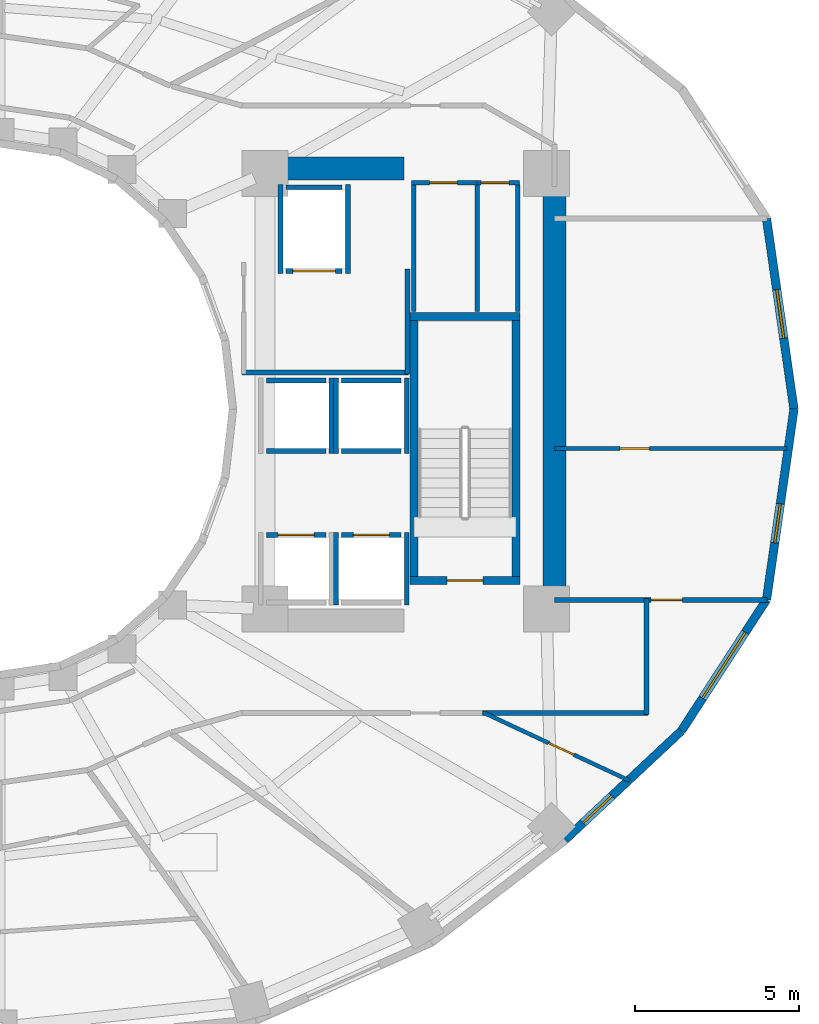
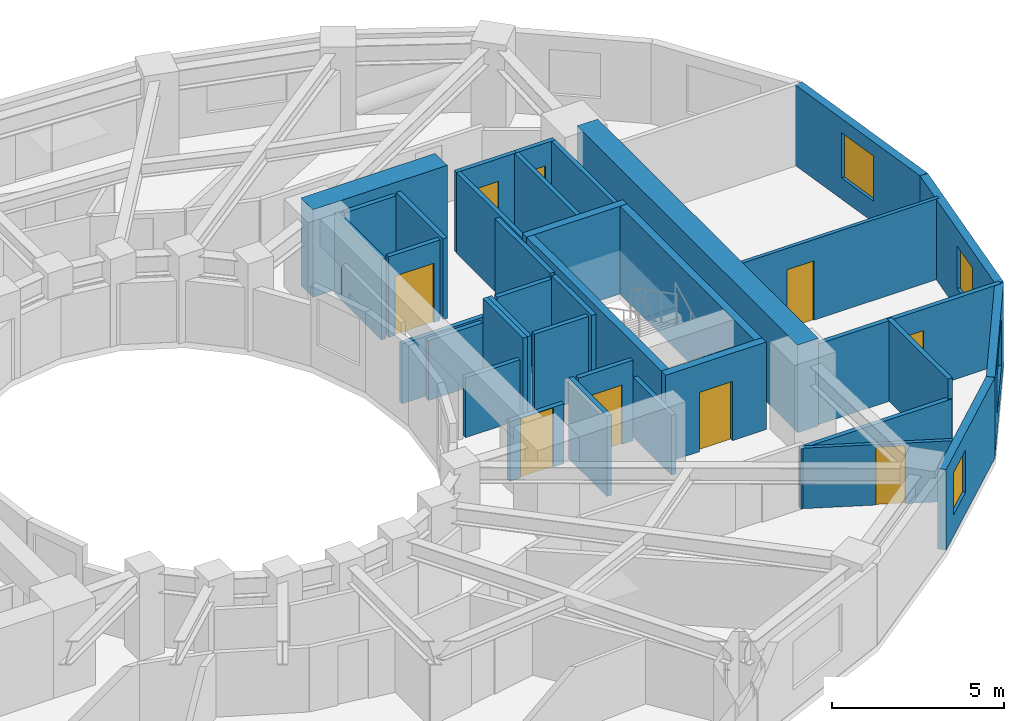
# One storey, part 6 of 9: 37 walls, 9 doors, 4 windows, 13 openings.
"""IFC4 building model written with IfcOpenShell, lengths in metres."""

from ifc_helpers import new_model, si_unit, direction, frame, frame_2d, origin, place, context, subcontext, project, spatial, rectangle, extrude, material, layer, layer_set, type_object, element, fill, save


model = new_model("IFC4")

# Units and contexts
model_context = context("Model", 3, precision=1e-05, world=origin(), true_north=direction((0.0, 1.0)))
body_context = subcontext(model_context, "Body", "Model", "MODEL_VIEW")
ifc_project = project(units=[si_unit("LENGTHUNIT", "METRE"), si_unit("AREAUNIT", "SQUARE_METRE"), si_unit("VOLUMEUNIT", "CUBIC_METRE"), si_unit("PLANEANGLEUNIT", "RADIAN"), si_unit("MASSUNIT", "GRAM", prefix="KILO")], contexts=[model_context])

# Site, building, storey
site_placement = place(None, origin())
site = spatial("IfcSite", under=ifc_project, at=site_placement, CompositionType="ELEMENT")
building_placement = place(site_placement, origin())
building = spatial("IfcBuilding", under=site, at=building_placement, Name="Solvane Sanctuary Tower", CompositionType="ELEMENT")
storey_placement = place(building_placement, frame((0.0, 0.0, 98.0)))
storey = spatial("IfcBuildingStorey", under=building, at=storey_placement, Name="L29", CompositionType="ELEMENT", Elevation=98.0)

# Walls
ifc_material_1 = material(Name="Concrete C60/75", Category="concrete")
ifc_layer_1 = layer(ifc_material_1, 0.699951171875, Name="Concrete C60/75")
ifc_layer_set_1 = layer_set([ifc_layer_1], Name="Concrete C60/75")
wall_type_1 = type_object("IfcWallType", Name="Wall W-CORE-700", PredefinedType="SHEAR", material=ifc_layer_set_1)
wall_1_placement = place(storey_placement, frame((48.949951171875, 17.050048828125, 0.0), z_axis=(0.0, 0.0, 1.0), x_axis=(0.0, 1.0, 0.0)))
element("IfcWall", 1, at=wall_1_placement, inside=storey, type_object=wall_type_1, Name="L29 Core Shear Wall EC-E", PredefinedType="SHEAR", context=body_context, shape_type="SweptSolid", body=[
    extrude(rectangle(XDim=12.800048828125, YDim=0.699951171875, at=frame_2d((6.39990234375, 0.0))), origin(), (0.0, 0.0, 1.0), 3.10009765625),
])
wall_2_placement = place(storey_placement, frame((39.85009765625, 30.35009765625, 0.0), z_axis=(0.0, 0.0, 1.0), x_axis=(1.0, 0.0, 0.0)))
element("IfcWall", 2, at=wall_2_placement, inside=storey, type_object=wall_type_1, Name="L29 Core Shear Wall EC-N", PredefinedType="SHEAR", context=body_context, shape_type="SweptSolid", body=[
    extrude(rectangle(XDim=4.5, YDim=0.699951171875, at=frame_2d((2.25, 0.0))), origin(), (0.0, 0.0, 1.0), 3.10009765625),
])
ifc_material_2 = material(Name="Acoustic Gypsum Partition Board")
ifc_layer_2 = layer(ifc_material_2, 0.14990234375, Name="Acoustic Gypsum Partition Board")
ifc_layer_set_2 = layer_set([ifc_layer_2], Name="Acoustic Gypsum Partition Board")
wall_type_2 = type_object("IfcWallType", Name="Wall W-CORR-150", PredefinedType="PARTITIONING", material=ifc_layer_set_2)
wall_3_placement = place(storey_placement, frame((39.39990234375, 24.1201171875, 0.0), z_axis=(0.0, 0.0, 1.0), x_axis=(1.0, 0.0, 0.0)))
element("IfcWall", 3, at=wall_3_placement, inside=storey, type_object=wall_type_2, Name="L29 East Firefighting Lobby South Wall", PredefinedType="PARTITIONING", context=body_context, shape_type="SweptSolid", body=[
    extrude(rectangle(XDim=5.080078125, YDim=0.14990234375, at=frame_2d((2.5400390625, 0.0))), origin(), (0.0, 0.0, 1.0), 2.1201171875),
])
wall_4_placement = place(storey_placement, frame((44.449951171875, 24.080078125, 0.0), z_axis=(0.0, 0.0, 1.0), x_axis=(0.0, 1.0, 0.0)))
element("IfcWall", 4, at=wall_4_placement, inside=storey, type_object=wall_type_2, Name="L29 East Firefighting Lobby East Wall", PredefinedType="PARTITIONING", context=body_context, shape_type="SweptSolid", body=[
    extrude(rectangle(XDim=3.199951171875, YDim=0.14990234375, at=frame_2d((1.60009765625, 0.0))), origin(), (0.0, 0.0, 1.0), 2.85498046875),
])

# Wall, opening, door
wall_5_placement = place(storey_placement, frame((48.949951171875, 17.1748046875, 0.0), z_axis=(0.0, 0.0, 1.0), x_axis=(1.0, 0.0, 0.0)))
wall_5 = element("IfcWall", 5, at=wall_5_placement, inside=storey, type_object=wall_type_2, Name="L29 East Shoulder South Wall", PredefinedType="PARTITIONING", context=body_context, shape_type="SweptSolid", body=[
    extrude(rectangle(XDim=6.49169921875, YDim=0.14990234375, at=frame_2d((3.245849609375, 0.0))), origin(), (0.0, 0.0, 1.0), 2.85498046875),
])
opening_1_placement = place(wall_5_placement, frame((2.947509765625, 0.0, 0.0)))
opening_1 = element("IfcOpeningElement", 6, at=opening_1_placement, cuts=wall_5, Name="Opening D-L29-12", PredefinedType="OPENING", context=body_context, shape_type="SweptSolid", body=[
    extrude(rectangle(XDim=0.949951171875, YDim=2.10009765625, at=frame_2d((0.47509765625, 1.050048828125))), frame((0.0, 0.0849609375, 0.0), z_axis=(0.0, -1.0, 0.0), x_axis=(1.0, 0.0, 0.0)), (0.0, 0.0, 1.0), 0.169921875),
])
ifc_material_3 = material(Name="Engineered Tropical Hardwood", Category="wood")
door_type_1 = type_object("IfcDoorType", Name="Door D-ROOM-950", OperationType="NOTDEFINED", PredefinedType="DOOR", material=ifc_material_3)
door_1_placement = place(opening_1_placement, origin())
door_1 = element("IfcDoor", 7, at=door_1_placement, inside=storey, type_object=door_type_1, Name="L29 East Shoulder South Door", OperationType="SINGLE_SWING_RIGHT", OverallHeight=2.10009765625, OverallWidth=0.949951171875, PredefinedType="DOOR", context=body_context, shape_type="SweptSolid", body=[
    extrude(rectangle(XDim=0.949951171875, YDim=2.10009765625, at=frame_2d((0.47509765625, 1.050048828125))), frame((0.0, 0.02490234375, 0.0), z_axis=(0.0, -1.0, 0.0), x_axis=(1.0, 0.0, 0.0)), (0.0, 0.0, 1.0), 0.050048828125),
])
fill(opening_1, door_1)

# Walls
wall_6_placement = place(storey_placement, frame((51.760009765625, 13.679931640625, 0.0), z_axis=(0.0, 0.0, 1.0), x_axis=(0.0, 1.0, 0.0)))
element("IfcWall", 8, at=wall_6_placement, inside=storey, type_object=wall_type_2, Name="L29 SE Corner Closer 1", PredefinedType="PARTITIONING", context=body_context, shape_type="SweptSolid", body=[
    extrude(rectangle(XDim=3.534912109375, YDim=0.14990234375, at=frame_2d((1.767578125, 0.0))), origin(), (0.0, 0.0, 1.0), 2.85498046875),
])
wall_7_placement = place(storey_placement, frame((46.75, 13.719970703125, 0.0), z_axis=(0.0, 0.0, 1.0), x_axis=(1.0, 0.0, 0.0)))
element("IfcWall", 9, at=wall_7_placement, inside=storey, type_object=wall_type_2, Name="L29 SE Corner Wing Wall", PredefinedType="PARTITIONING", context=body_context, shape_type="SweptSolid", body=[
    extrude(rectangle(XDim=5.050048828125, YDim=0.14990234375, at=frame_2d((2.52490234375, 0.0))), origin(), (0.0, 0.0, 1.0), 2.14208984375),
])

# Wall, opening, window
ifc_material_4 = material(Name="Precast concrete C40/50", Category="concrete")
ifc_layer_3 = layer(ifc_material_4, 0.260009765625, Name="Precast concrete C40/50")
ifc_layer_set_3 = layer_set([ifc_layer_3], Name="Precast concrete C40/50")
wall_type_3 = type_object("IfcWallType", Name="Wall W-EXT-250", PredefinedType="STANDARD", material=ifc_layer_set_3)
wall_8_placement = place(storey_placement, frame((56.260009765625, 23.0, 0.0), z_axis=(0.0, 0.0, 1.0), x_axis=(-0.142572472068, 0.98978436551, 0.0)))
wall_8 = element("IfcWall", 10, at=wall_8_placement, inside=storey, type_object=wall_type_3, Name="L29 Ceramic-Printed Facade Wall 00", PredefinedType="STANDARD", context=body_context, shape_type="SweptSolid", body=[
    extrude(rectangle(XDim=5.878662109375, YDim=0.260009765625, at=frame_2d((2.939453125, 0.0))), origin(), (0.0, 0.0, 1.0), 2.85009765625),
])
opening_2_placement = place(wall_8_placement, frame((2.189453125, 0.0, 0.75)))
opening_2 = element("IfcOpeningElement", 11, at=opening_2_placement, cuts=wall_8, Name="Opening WN-OPER-1500", PredefinedType="OPENING", context=body_context, shape_type="SweptSolid", body=[
    extrude(rectangle(XDim=1.5, YDim=1.60009765625, at=frame_2d((0.75, 0.800048828125))), frame((0.0, 0.139892578125, 0.0), z_axis=(0.0, -1.0, 0.0), x_axis=(1.0, 0.0, 0.0)), (0.0, 0.0, 1.0), 0.280029296875),
])
ifc_material_5 = material(Name="Dark Ceramic-Fritted Low-E Glass", Category="glass")
window_type_1 = type_object("IfcWindowType", Name="Window WN-OPER-1500", PartitioningType="SINGLE_PANEL", PredefinedType="WINDOW", material=ifc_material_5)
window_1_placement = place(opening_2_placement, origin())
window_1 = element("IfcWindow", 12, at=window_1_placement, inside=storey, type_object=window_type_1, Name="L29 Operable Facade Window 00", OverallHeight=1.60009765625, OverallWidth=1.5, PartitioningType="SINGLE_PANEL", PredefinedType="WINDOW", context=body_context, shape_type="SweptSolid", body=[
    extrude(rectangle(XDim=1.5, YDim=1.60009765625, at=frame_2d((0.75, 0.800048828125))), frame((0.0, 0.030029296875, 0.0), z_axis=(0.0, -1.0, 0.0), x_axis=(1.0, 0.0, 0.0)), (0.0, 0.0, 1.0), 0.06005859375),
])
fill(opening_2, window_1)

wall_9_placement = place(storey_placement, frame((49.265869140625, 9.8466796875, 0.0), z_axis=(0.0, 0.0, 1.0), x_axis=(0.730162452258, 0.68327358599, 0.0)))
wall_9 = element("IfcWall", 13, at=wall_9_placement, inside=storey, type_object=wall_type_3, Name="L29 Ceramic-Printed Facade Wall 21", PredefinedType="STANDARD", context=body_context, shape_type="SweptSolid", body=[
    extrude(rectangle(XDim=4.868408203125, YDim=0.260009765625, at=frame_2d((2.43408203125, 0.0))), origin(), (0.0, 0.0, 1.0), 2.85009765625),
])
opening_3_placement = place(wall_9_placement, frame((0.754638671875, 0.0, 0.75)))
opening_3 = element("IfcOpeningElement", 14, at=opening_3_placement, cuts=wall_9, Name="Opening WN-OPER-1200", PredefinedType="OPENING", context=body_context, shape_type="SweptSolid", body=[
    extrude(rectangle(XDim=1.199951171875, YDim=1.5, at=frame_2d((0.60009765625, 0.75))), frame((0.0, 0.139892578125, 0.0), z_axis=(0.0, -1.0, 0.0), x_axis=(1.0, 0.0, 0.0)), (0.0, 0.0, 1.0), 0.280029296875),
])
window_type_2 = type_object("IfcWindowType", Name="Window WN-OPER-1200", PartitioningType="SINGLE_PANEL", PredefinedType="WINDOW", material=ifc_material_5)
window_2_placement = place(opening_3_placement, origin())
window_2 = element("IfcWindow", 15, at=window_2_placement, inside=storey, type_object=window_type_2, Name="L29 Operable Facade Window 21", OverallHeight=1.5, OverallWidth=1.199951171875, PartitioningType="SINGLE_PANEL", PredefinedType="WINDOW", context=body_context, shape_type="SweptSolid", body=[
    extrude(rectangle(XDim=1.199951171875, YDim=1.5, at=frame_2d((0.60009765625, 0.75))), frame((0.0, 0.030029296875, 0.0), z_axis=(0.0, -1.0, 0.0), x_axis=(1.0, 0.0, 0.0)), (0.0, 0.0, 1.0), 0.06005859375),
])
fill(opening_3, window_2)

wall_10_placement = place(storey_placement, frame((52.820556640625, 13.173095703125, 0.0), z_axis=(0.0, 0.0, 1.0), x_axis=(0.544388392991, 0.838833283541, 0.0)))
wall_10 = element("IfcWall", 16, at=wall_10_placement, inside=storey, type_object=wall_type_3, Name="L29 Ceramic-Printed Facade Wall 22", PredefinedType="STANDARD", context=body_context, shape_type="SweptSolid", body=[
    extrude(rectangle(XDim=4.7783203125, YDim=0.260009765625, at=frame_2d((2.38916015625, 0.0))), origin(), (0.0, 0.0, 1.0), 2.85009765625),
])
opening_4_placement = place(wall_10_placement, frame((1.189208984375, 0.0, 0.75)))
opening_4 = element("IfcOpeningElement", 17, at=opening_4_placement, cuts=wall_10, Name="Opening WN-RIB-2400", PredefinedType="OPENING", context=body_context, shape_type="SweptSolid", body=[
    extrude(rectangle(XDim=2.39990234375, YDim=1.699951171875, at=frame_2d((1.199951171875, 0.85009765625))), frame((0.0, 0.139892578125, 0.0), z_axis=(0.0, -1.0, 0.0), x_axis=(1.0, 0.0, 0.0)), (0.0, 0.0, 1.0), 0.280029296875),
])
window_type_3 = type_object("IfcWindowType", Name="Window WN-RIB-2400", PartitioningType="SINGLE_PANEL", PredefinedType="WINDOW", material=ifc_material_5)
window_3_placement = place(opening_4_placement, origin())
window_3 = element("IfcWindow", 18, at=window_3_placement, inside=storey, type_object=window_type_3, Name="L29 Operable Facade Window 22", OverallHeight=1.699951171875, OverallWidth=2.39990234375, PartitioningType="SINGLE_PANEL", PredefinedType="WINDOW", context=body_context, shape_type="SweptSolid", body=[
    extrude(rectangle(XDim=2.39990234375, YDim=1.699951171875, at=frame_2d((1.199951171875, 0.85009765625))), frame((0.0, 0.030029296875, 0.0), z_axis=(0.0, -1.0, 0.0), x_axis=(1.0, 0.0, 0.0)), (0.0, 0.0, 1.0), 0.06005859375),
])
fill(opening_4, window_3)

wall_11_placement = place(storey_placement, frame((55.421875, 17.181396484375, 0.0), z_axis=(0.0, 0.0, 1.0), x_axis=(0.142572472068, 0.98978436551, 0.0)))
wall_11 = element("IfcWall", 19, at=wall_11_placement, inside=storey, type_object=wall_type_3, Name="L29 Ceramic-Printed Facade Wall 23", PredefinedType="STANDARD", context=body_context, shape_type="SweptSolid", body=[
    extrude(rectangle(XDim=5.878662109375, YDim=0.260009765625, at=frame_2d((2.939453125, 0.0))), origin(), (0.0, 0.0, 1.0), 2.85009765625),
])
opening_5_placement = place(wall_11_placement, frame((1.75830078125, 0.0, 0.75)))
opening_5 = element("IfcOpeningElement", 20, at=opening_5_placement, cuts=wall_11, Name="Opening WN-OPER-1200", PredefinedType="OPENING", context=body_context, shape_type="SweptSolid", body=[
    extrude(rectangle(XDim=1.199951171875, YDim=1.5, at=frame_2d((0.60009765625, 0.75))), frame((0.0, 0.139892578125, 0.0), z_axis=(0.0, -1.0, 0.0), x_axis=(1.0, 0.0, 0.0)), (0.0, 0.0, 1.0), 0.280029296875),
])
window_4_placement = place(opening_5_placement, origin())
window_4 = element("IfcWindow", 21, at=window_4_placement, inside=storey, type_object=window_type_2, Name="L29 Operable Facade Window 23", OverallHeight=1.5, OverallWidth=1.199951171875, PartitioningType="SINGLE_PANEL", PredefinedType="WINDOW", context=body_context, shape_type="SweptSolid", body=[
    extrude(rectangle(XDim=1.199951171875, YDim=1.5, at=frame_2d((0.60009765625, 0.75))), frame((0.0, 0.030029296875, 0.0), z_axis=(0.0, -1.0, 0.0), x_axis=(1.0, 0.0, 0.0)), (0.0, 0.0, 1.0), 0.06005859375),
])
fill(opening_5, window_4)

# Wall, opening, door
ifc_layer_4 = layer(ifc_material_2, 0.1201171875, Name="Acoustic Gypsum Partition Board")
ifc_layer_set_4 = layer_set([ifc_layer_4], Name="Acoustic Gypsum Partition Board")
wall_type_4 = type_object("IfcWallType", Name="Wall W-MOV-100", PredefinedType="MOVABLE", material=ifc_layer_set_4)
wall_12_placement = place(storey_placement, frame((48.949951171875, 21.800048828125, 0.0), z_axis=(0.0, 0.0, 1.0), x_axis=(1.0, 0.0, 0.0)))
wall_12 = element("IfcWall", 22, at=wall_12_placement, inside=storey, type_object=wall_type_4, Name="L29 East Suite Partition", PredefinedType="MOVABLE", context=body_context, shape_type="SweptSolid", body=[
    extrude(rectangle(XDim=7.097412109375, YDim=0.1201171875, at=frame_2d((3.548828125, 0.0))), origin(), (0.0, 0.0, 1.0), 2.85498046875),
])
opening_6_placement = place(wall_12_placement, frame((2.0, 0.0, 0.0)))
opening_6 = element("IfcOpeningElement", 23, at=opening_6_placement, cuts=wall_12, Name="Opening D-L29-13", PredefinedType="OPENING", context=body_context, shape_type="SweptSolid", body=[
    extrude(rectangle(XDim=0.89990234375, YDim=2.10009765625, at=frame_2d((0.449951171875, 1.050048828125))), frame((0.0, 0.070068359375, 0.0), z_axis=(0.0, -1.0, 0.0), x_axis=(1.0, 0.0, 0.0)), (0.0, 0.0, 1.0), 0.14013671875),
])
door_type_2 = type_object("IfcDoorType", Name="Door D-WET-900", OperationType="NOTDEFINED", PredefinedType="DOOR", material=ifc_material_3)
door_2_placement = place(opening_6_placement, origin())
door_2 = element("IfcDoor", 24, at=door_2_placement, inside=storey, type_object=door_type_2, Name="L29 East Suite Internal Door", OperationType="SINGLE_SWING_LEFT", OverallHeight=2.10009765625, OverallWidth=0.89990234375, PredefinedType="DOOR", context=body_context, shape_type="SweptSolid", body=[
    extrude(rectangle(XDim=0.89990234375, YDim=2.10009765625, at=frame_2d((0.449951171875, 1.050048828125))), frame((0.0, 0.02490234375, 0.0), z_axis=(0.0, -1.0, 0.0), x_axis=(1.0, 0.0, 0.0)), (0.0, 0.0, 1.0), 0.050048828125),
])
fill(opening_6, door_2)

wall_13_placement = place(storey_placement, frame((46.754638671875, 13.7412109375, 0.0), z_axis=(0.0, 0.0, 1.0), x_axis=(0.906244997559, -0.422752888102, 0.0)))
wall_13 = element("IfcWall", 25, at=wall_13_placement, inside=storey, type_object=wall_type_4, Name="L29 SE Corner Suite Partition", PredefinedType="MOVABLE", context=body_context, shape_type="SweptSolid", body=[
    extrude(rectangle(XDim=4.93994140625, YDim=0.1201171875, at=frame_2d((2.469970703125, 0.0))), origin(), (0.0, 0.0, 1.0), 2.14208984375),
])
opening_7_placement = place(wall_13_placement, frame((2.219970703125, 0.0, 0.0)))
opening_7 = element("IfcOpeningElement", 26, at=opening_7_placement, cuts=wall_13, Name="Opening D-L29-19", PredefinedType="OPENING", context=body_context, shape_type="SweptSolid", body=[
    extrude(rectangle(XDim=0.85009765625, YDim=2.050048828125, at=frame_2d((0.425048828125, 1.02490234375))), frame((0.0, 0.070068359375, 0.0), z_axis=(0.0, -1.0, 0.0), x_axis=(1.0, 0.0, 0.0)), (0.0, 0.0, 1.0), 0.14013671875),
])
ifc_material_6 = material(Name="Architectural Stainless Steel 316", Category="steel")
door_type_3 = type_object("IfcDoorType", Name="Door D-RISER", OperationType="NOTDEFINED", PredefinedType="DOOR", material=ifc_material_6)
door_3_placement = place(opening_7_placement, origin())
door_3 = element("IfcDoor", 27, at=door_3_placement, inside=storey, type_object=door_type_3, Name="L29 SE Corner Suite Door", OperationType="SINGLE_SWING_LEFT", OverallHeight=2.050048828125, OverallWidth=0.85009765625, PredefinedType="DOOR", context=body_context, shape_type="SweptSolid", body=[
    extrude(rectangle(XDim=0.85009765625, YDim=2.050048828125, at=frame_2d((0.425048828125, 1.02490234375))), frame((0.0, 0.02490234375, 0.0), z_axis=(0.0, -1.0, 0.0), x_axis=(1.0, 0.0, 0.0)), (0.0, 0.0, 1.0), 0.050048828125),
])
fill(opening_7, door_3)

ifc_material_7 = material(Name="Concrete C50/60", Category="concrete")
ifc_layer_5 = layer(ifc_material_7, 0.14990234375, Name="Concrete C50/60")
ifc_layer_set_5 = layer_set([ifc_layer_5], Name="Concrete C50/60")
wall_type_5 = type_object("IfcWallType", Name="Wall W-SHAFT-150", PredefinedType="SOLIDWALL", material=ifc_layer_set_5)
wall_14_placement = place(storey_placement, frame((40.139892578125, 19.159912109375, 0.0), z_axis=(0.0, 0.0, 1.0), x_axis=(1.0, 0.0, 0.0)))
wall_14 = element("IfcWall", 28, at=wall_14_placement, inside=storey, type_object=wall_type_5, Name="L29 PL-3 Lift Shaft Wall F", PredefinedType="SOLIDWALL", context=body_context, shape_type="SweptSolid", body=[
    extrude(rectangle(XDim=1.820068359375, YDim=0.14990234375, at=frame_2d((0.91015625, 0.0))), origin(), (0.0, 0.0, 1.0), 2.1201171875),
])
opening_8_placement = place(wall_14_placement, frame((0.360107421875, 0.0, 0.0)))
opening_8 = element("IfcOpeningElement", 29, at=opening_8_placement, cuts=wall_14, Name="Opening LD-L29-03", PredefinedType="OPENING", context=body_context, shape_type="SweptSolid", body=[
    extrude(rectangle(XDim=1.10009765625, YDim=2.10009765625, at=frame_2d((0.550048828125, 1.050048828125))), frame((0.0, 0.0849609375, 0.0), z_axis=(0.0, -1.0, 0.0), x_axis=(1.0, 0.0, 0.0)), (0.0, 0.0, 1.0), 0.169921875),
])
door_type_4 = type_object("IfcDoorType", Name="Door LD-PASS-1100", OperationType="NOTDEFINED", PredefinedType="DOOR", material=ifc_material_6)
door_4_placement = place(opening_8_placement, origin())
door_4 = element("IfcDoor", 30, at=door_4_placement, inside=storey, type_object=door_type_4, Name="L29 PL-3 Lift Landing Door", OperationType="DOUBLE_DOOR_SLIDING", OverallHeight=2.10009765625, OverallWidth=1.10009765625, PredefinedType="DOOR", context=body_context, shape_type="SweptSolid", body=[
    extrude(rectangle(XDim=1.10009765625, YDim=2.10009765625, at=frame_2d((0.550048828125, 1.050048828125))), frame((0.0, 0.02490234375, 0.0), z_axis=(0.0, -1.0, 0.0), x_axis=(1.0, 0.0, 0.0)), (0.0, 0.0, 1.0), 0.050048828125),
])
fill(opening_8, door_4)

wall_15_placement = place(storey_placement, frame((42.43994140625, 19.159912109375, 0.0), z_axis=(0.0, 0.0, 1.0), x_axis=(1.0, 0.0, 0.0)))
wall_15 = element("IfcWall", 31, at=wall_15_placement, inside=storey, type_object=wall_type_5, Name="L29 PL-4 Lift Shaft Wall F", PredefinedType="SOLIDWALL", context=body_context, shape_type="SweptSolid", body=[
    extrude(rectangle(XDim=1.820068359375, YDim=0.14990234375, at=frame_2d((0.91015625, 0.0))), origin(), (0.0, 0.0, 1.0), 2.85498046875),
])
opening_9_placement = place(wall_15_placement, frame((0.360107421875, 0.0, 0.0)))
opening_9 = element("IfcOpeningElement", 32, at=opening_9_placement, cuts=wall_15, Name="Opening LD-L29-04", PredefinedType="OPENING", context=body_context, shape_type="SweptSolid", body=[
    extrude(rectangle(XDim=1.10009765625, YDim=2.10009765625, at=frame_2d((0.550048828125, 1.050048828125))), frame((0.0, 0.0849609375, 0.0), z_axis=(0.0, -1.0, 0.0), x_axis=(1.0, 0.0, 0.0)), (0.0, 0.0, 1.0), 0.169921875),
])
door_5_placement = place(opening_9_placement, origin())
door_5 = element("IfcDoor", 33, at=door_5_placement, inside=storey, type_object=door_type_4, Name="L29 PL-4 Lift Landing Door", OperationType="DOUBLE_DOOR_SLIDING", OverallHeight=2.10009765625, OverallWidth=1.10009765625, PredefinedType="DOOR", context=body_context, shape_type="SweptSolid", body=[
    extrude(rectangle(XDim=1.10009765625, YDim=2.10009765625, at=frame_2d((0.550048828125, 1.050048828125))), frame((0.0, 0.02490234375, 0.0), z_axis=(0.0, -1.0, 0.0), x_axis=(1.0, 0.0, 0.0)), (0.0, 0.0, 1.0), 0.050048828125),
])
fill(opening_9, door_5)

# Walls
wall_16_placement = place(storey_placement, frame((42.27001953125, 17.02001953125, 0.0), z_axis=(0.0, 0.0, 1.0), x_axis=(0.0, 1.0, 0.0)))
element("IfcWall", 34, at=wall_16_placement, inside=storey, type_object=wall_type_5, Name="L29 PL-4 Lift Shaft Wall S1", PredefinedType="SOLIDWALL", context=body_context, shape_type="SweptSolid", body=[
    extrude(rectangle(XDim=2.219970703125, YDim=0.14990234375, at=frame_2d((1.10986328125, 0.0))), origin(), (0.0, 0.0, 1.0), 2.85498046875),
])
wall_17_placement = place(storey_placement, frame((44.429931640625, 17.02001953125, 0.0), z_axis=(0.0, 0.0, 1.0), x_axis=(0.0, 1.0, 0.0)))
element("IfcWall", 35, at=wall_17_placement, inside=storey, type_object=wall_type_5, Name="L29 PL-4 Lift Shaft Wall S2", PredefinedType="SOLIDWALL", context=body_context, shape_type="SweptSolid", body=[
    extrude(rectangle(XDim=2.219970703125, YDim=0.14990234375, at=frame_2d((1.10986328125, 0.0))), origin(), (0.0, 0.0, 1.0), 2.1201171875),
])
for number, where, z_axis, x_axis, name in (
    (36, (42.43994140625, 21.719970703125, 0.0), (0.0, 0.0, 1.0), (1.0, 0.0, 0.0), "L29 PM-2 Lift Shaft Wall F"),
    (37, (42.43994140625, 23.8798828125, 0.0), (0.0, 0.0, 1.0), (1.0, 0.0, 0.0), "L29 PM-2 Lift Shaft Wall B"),
):
    element("IfcWall", number, at=place(storey_placement, frame(where, z_axis=z_axis, x_axis=x_axis)), inside=storey, type_object=wall_type_5, Name=name, PredefinedType="SOLIDWALL", context=body_context, shape_type="SweptSolid", body=[
        extrude(rectangle(XDim=1.820068359375, YDim=0.14990234375, at=frame_2d((0.91015625, 0.0))), origin(), (0.0, 0.0, 1.0), 2.85498046875),
    ])
for number, where, z_axis, x_axis, name in (
    (38, (42.27001953125, 21.639892578125, 0.0), (0.0, 0.0, 1.0), (0.0, 1.0, 0.0), "L29 PM-2 Lift Shaft Wall S1"),
    (39, (44.429931640625, 21.639892578125, 0.0), (0.0, 0.0, 1.0), (0.0, 1.0, 0.0), "L29 PM-2 Lift Shaft Wall S2"),
):
    element("IfcWall", number, at=place(storey_placement, frame(where, z_axis=z_axis, x_axis=x_axis)), inside=storey, type_object=wall_type_5, Name=name, PredefinedType="SOLIDWALL", context=body_context, shape_type="SweptSolid", body=[
        extrude(rectangle(XDim=2.320068359375, YDim=0.14990234375, at=frame_2d((1.16015625, 0.0))), origin(), (0.0, 0.0, 1.0), 2.85498046875),
    ])
for number, where, z_axis, x_axis, name in (
    (40, (40.139892578125, 21.719970703125, 0.0), (0.0, 0.0, 1.0), (1.0, 0.0, 0.0), "L29 PH-2 Lift Shaft Wall F"),
    (41, (40.139892578125, 23.8798828125, 0.0), (0.0, 0.0, 1.0), (1.0, 0.0, 0.0), "L29 PH-2 Lift Shaft Wall B"),
):
    element("IfcWall", number, at=place(storey_placement, frame(where, z_axis=z_axis, x_axis=x_axis)), inside=storey, type_object=wall_type_5, Name=name, PredefinedType="SOLIDWALL", context=body_context, shape_type="SweptSolid", body=[
        extrude(rectangle(XDim=1.820068359375, YDim=0.14990234375, at=frame_2d((0.91015625, 0.0))), origin(), (0.0, 0.0, 1.0), 2.1201171875),
    ])
wall_18_placement = place(storey_placement, frame((42.1298828125, 21.639892578125, 0.0), z_axis=(0.0, 0.0, 1.0), x_axis=(0.0, 1.0, 0.0)))
element("IfcWall", 42, at=wall_18_placement, inside=storey, type_object=wall_type_5, Name="L29 PH-2 Lift Shaft Wall S2", PredefinedType="SOLIDWALL", context=body_context, shape_type="SweptSolid", body=[
    extrude(rectangle(XDim=2.320068359375, YDim=0.14990234375, at=frame_2d((1.16015625, 0.0))), origin(), (0.0, 0.0, 1.0), 2.85498046875),
])

# Wall, opening, door
wall_19_placement = place(storey_placement, frame((40.739990234375, 27.219970703125, 0.0), z_axis=(0.0, 0.0, 1.0), x_axis=(1.0, 0.0, 0.0)))
wall_19 = element("IfcWall", 43, at=wall_19_placement, inside=storey, type_object=wall_type_5, Name="L29 FFL-2 Lift Shaft Wall F", PredefinedType="SOLIDWALL", context=body_context, shape_type="SweptSolid", body=[
    extrude(rectangle(XDim=1.719970703125, YDim=0.14990234375, at=frame_2d((0.85986328125, 0.0))), origin(), (0.0, 0.0, 1.0), 2.85498046875),
])
opening_10_placement = place(wall_19_placement, frame((0.2099609375, 0.0, 0.0)))
opening_10 = element("IfcOpeningElement", 44, at=opening_10_placement, cuts=wall_19, Name="Opening LD-L29-07", PredefinedType="OPENING", context=body_context, shape_type="SweptSolid", body=[
    extrude(rectangle(XDim=1.300048828125, YDim=2.10009765625, at=frame_2d((0.64990234375, 1.050048828125))), frame((0.0, 0.0849609375, 0.0), z_axis=(0.0, -1.0, 0.0), x_axis=(1.0, 0.0, 0.0)), (0.0, 0.0, 1.0), 0.169921875),
])
door_type_5 = type_object("IfcDoorType", Name="Door LD-FFL-1300", OperationType="NOTDEFINED", PredefinedType="DOOR", material=ifc_material_6)
door_6_placement = place(opening_10_placement, origin())
door_6 = element("IfcDoor", 45, at=door_6_placement, inside=storey, type_object=door_type_5, Name="L29 FFL-2 Lift Landing Door", OperationType="DOUBLE_DOOR_SLIDING", OverallHeight=2.10009765625, OverallWidth=1.300048828125, PredefinedType="DOOR", context=body_context, shape_type="SweptSolid", body=[
    extrude(rectangle(XDim=1.300048828125, YDim=2.10009765625, at=frame_2d((0.64990234375, 1.050048828125))), frame((0.0, 0.02490234375, 0.0), z_axis=(0.0, -1.0, 0.0), x_axis=(1.0, 0.0, 0.0)), (0.0, 0.0, 1.0), 0.050048828125),
])
fill(opening_10, door_6)

# Walls
wall_20_placement = place(storey_placement, frame((40.739990234375, 29.780029296875, 0.0), z_axis=(0.0, 0.0, 1.0), x_axis=(1.0, 0.0, 0.0)))
element("IfcWall", 46, at=wall_20_placement, inside=storey, type_object=wall_type_5, Name="L29 FFL-2 Lift Shaft Wall B", PredefinedType="SOLIDWALL", context=body_context, shape_type="SweptSolid", body=[
    extrude(rectangle(XDim=1.719970703125, YDim=0.14990234375, at=frame_2d((0.85986328125, 0.0))), origin(), (0.0, 0.0, 1.0), 2.85498046875),
])
for number, where, z_axis, x_axis, name in (
    (47, (40.570068359375, 27.139892578125, 0.0), (0.0, 0.0, 1.0), (0.0, 1.0, 0.0), "L29 FFL-2 Lift Shaft Wall S1"),
    (48, (42.6298828125, 27.139892578125, 0.0), (0.0, 0.0, 1.0), (0.0, 1.0, 0.0), "L29 FFL-2 Lift Shaft Wall S2"),
):
    element("IfcWall", number, at=place(storey_placement, frame(where, z_axis=z_axis, x_axis=x_axis)), inside=storey, type_object=wall_type_5, Name=name, PredefinedType="SOLIDWALL", context=body_context, shape_type="SweptSolid", body=[
        extrude(rectangle(XDim=2.72021484375, YDim=0.14990234375, at=frame_2d((1.360107421875, 0.0))), origin(), (0.0, 0.0, 1.0), 2.85498046875),
    ])

# Wall, opening, door
ifc_layer_6 = layer(ifc_material_7, 0.25, Name="Concrete C50/60")
ifc_layer_set_6 = layer_set([ifc_layer_6], Name="Concrete C50/60")
wall_type_6 = type_object("IfcWallType", Name="Wall W-SHAFT-250", PredefinedType="SOLIDWALL", material=ifc_layer_set_6)
wall_21_placement = place(storey_placement, frame((44.52490234375, 17.77001953125, 0.0), z_axis=(0.0, 0.0, 1.0), x_axis=(1.0, 0.0, 0.0)))
wall_21 = element("IfcWall", 49, at=wall_21_placement, inside=storey, type_object=wall_type_6, Name="L29 ST-2 Load-Bearing Shaft Wall S", PredefinedType="SOLIDWALL", context=body_context, shape_type="SweptSolid", body=[
    extrude(rectangle(XDim=3.3701171875, YDim=0.25, at=frame_2d((1.68505859375, 0.0))), origin(), (0.0, 0.0, 1.0), 3.10009765625),
])
opening_11_placement = place(wall_21_placement, frame((1.135009765625, 0.0, 0.0)))
opening_11 = element("IfcOpeningElement", 50, at=opening_11_placement, cuts=wall_21, Name="Opening D-L29-04", PredefinedType="OPENING", context=body_context, shape_type="SweptSolid", body=[
    extrude(rectangle(XDim=1.10009765625, YDim=2.10009765625, at=frame_2d((0.550048828125, 1.050048828125))), frame((0.0, 0.135009765625, 0.0), z_axis=(0.0, -1.0, 0.0), x_axis=(1.0, 0.0, 0.0)), (0.0, 0.0, 1.0), 0.27001953125),
])
door_type_6 = type_object("IfcDoorType", Name="Door D-STAIR", OperationType="NOTDEFINED", PredefinedType="DOOR", material=ifc_material_6)
door_7_placement = place(opening_11_placement, origin())
door_7 = element("IfcDoor", 51, at=door_7_placement, inside=storey, type_object=door_type_6, Name="L29 ST-2 Exit Stair Fire Door", OperationType="SINGLE_SWING_RIGHT", OverallHeight=2.10009765625, OverallWidth=1.10009765625, PredefinedType="DOOR", context=body_context, shape_type="SweptSolid", body=[
    extrude(rectangle(XDim=1.10009765625, YDim=2.10009765625, at=frame_2d((0.550048828125, 1.050048828125))), frame((0.0, 0.02490234375, 0.0), z_axis=(0.0, -1.0, 0.0), x_axis=(1.0, 0.0, 0.0)), (0.0, 0.0, 1.0), 0.050048828125),
])
fill(opening_11, door_7)

# Walls
wall_22_placement = place(storey_placement, frame((44.52490234375, 25.830078125, 0.0), z_axis=(0.0, 0.0, 1.0), x_axis=(1.0, 0.0, 0.0)))
element("IfcWall", 52, at=wall_22_placement, inside=storey, type_object=wall_type_6, Name="L29 ST-2 Load-Bearing Shaft Wall N", PredefinedType="SOLIDWALL", context=body_context, shape_type="SweptSolid", body=[
    extrude(rectangle(XDim=3.3701171875, YDim=0.25, at=frame_2d((1.68505859375, 0.0))), origin(), (0.0, 0.0, 1.0), 3.10009765625),
])
for number, where, z_axis, x_axis, name in (
    (53, (44.64990234375, 17.89501953125, 0.0), (0.0, 0.0, 1.0), (0.0, 1.0, 0.0), "L29 ST-2 Load-Bearing Shaft Wall W"),
    (54, (47.77001953125, 17.89501953125, 0.0), (0.0, 0.0, 1.0), (0.0, 1.0, 0.0), "L29 ST-2 Load-Bearing Shaft Wall E"),
):
    element("IfcWall", number, at=place(storey_placement, frame(where, z_axis=z_axis, x_axis=x_axis)), inside=storey, type_object=wall_type_6, Name=name, PredefinedType="SOLIDWALL", context=body_context, shape_type="SweptSolid", body=[
        extrude(rectangle(XDim=7.81005859375, YDim=0.25, at=frame_2d((3.905029296875, 0.0))), origin(), (0.0, 0.0, 1.0), 3.10009765625),
    ])

# Wall, opening, door
ifc_layer_7 = layer(ifc_material_2, 0.139892578125, Name="Acoustic Gypsum Partition Board")
ifc_layer_set_7 = layer_set([ifc_layer_7], Name="Acoustic Gypsum Partition Board")
wall_type_7 = type_object("IfcWallType", Name="Wall W-WET-140", PredefinedType="PLUMBINGWALL", material=ifc_layer_set_7)
wall_23_placement = place(storey_placement, frame((44.580078125, 29.919921875, 0.0), z_axis=(0.0, 0.0, 1.0), x_axis=(1.0, 0.0, 0.0)))
wall_23 = element("IfcWall", 55, at=wall_23_placement, inside=storey, type_object=wall_type_7, Name="L29 Core Service Front Wall KE1", PredefinedType="PLUMBINGWALL", context=body_context, shape_type="SweptSolid", body=[
    extrude(rectangle(XDim=2.0, YDim=0.139892578125, at=frame_2d((1.0, 0.0))), origin(), (0.0, 0.0, 1.0), 2.85498046875),
])
opening_12_placement = place(wall_23_placement, frame((0.550048828125, 0.0, 0.0)))
opening_12 = element("IfcOpeningElement", 56, at=opening_12_placement, cuts=wall_23, Name="Opening D-L29-10", PredefinedType="OPENING", context=body_context, shape_type="SweptSolid", body=[
    extrude(rectangle(XDim=0.85009765625, YDim=2.050048828125, at=frame_2d((0.425048828125, 1.02490234375))), frame((0.0, 0.079833984375, 0.0), z_axis=(0.0, -1.0, 0.0), x_axis=(1.0, 0.0, 0.0)), (0.0, 0.0, 1.0), 0.159912109375),
])
door_8_placement = place(opening_12_placement, origin())
door_8 = element("IfcDoor", 57, at=door_8_placement, inside=storey, type_object=door_type_3, Name="L29 Core Service Room Door KE1-1", OperationType="SINGLE_SWING_RIGHT", OverallHeight=2.050048828125, OverallWidth=0.85009765625, PredefinedType="DOOR", context=body_context, shape_type="SweptSolid", body=[
    extrude(rectangle(XDim=0.85009765625, YDim=2.050048828125, at=frame_2d((0.425048828125, 1.02490234375))), frame((0.0, 0.02490234375, 0.0), z_axis=(0.0, -1.0, 0.0), x_axis=(1.0, 0.0, 0.0)), (0.0, 0.0, 1.0), 0.050048828125),
])
fill(opening_12, door_8)

# Walls
for number, where, z_axis, x_axis, name in (
    (58, (44.639892578125, 25.97998046875, 0.0), (0.0, 0.0, 1.0), (0.0, 1.0, 0.0), "L29 Core Service Side Wall KE1-1"),
    (59, (46.580078125, 25.97998046875, 0.0), (0.0, 0.0, 1.0), (0.0, 1.0, 0.0), "L29 Core Service Side Wall KE1-2"),
):
    element("IfcWall", number, at=place(storey_placement, frame(where, z_axis=z_axis, x_axis=x_axis)), inside=storey, type_object=wall_type_7, Name=name, PredefinedType="PLUMBINGWALL", context=body_context, shape_type="SweptSolid", body=[
        extrude(rectangle(XDim=3.880126953125, YDim=0.139892578125, at=frame_2d((1.93994140625, 0.0))), origin(), (0.0, 0.0, 1.0), 2.85498046875),
    ])

# Wall, opening, door
wall_24_placement = place(storey_placement, frame((46.580078125, 29.919921875, 0.0), z_axis=(0.0, 0.0, 1.0), x_axis=(1.0, 0.0, 0.0)))
wall_24 = element("IfcWall", 60, at=wall_24_placement, inside=storey, type_object=wall_type_7, Name="L29 Core Service Front Wall KE2", PredefinedType="PLUMBINGWALL", context=body_context, shape_type="SweptSolid", body=[
    extrude(rectangle(XDim=1.2998046875, YDim=0.139892578125, at=frame_2d((0.64990234375, 0.0))), origin(), (0.0, 0.0, 1.0), 2.85498046875),
])
opening_13_placement = place(wall_24_placement, frame((0.1201171875, 0.0, 0.0)))
opening_13 = element("IfcOpeningElement", 61, at=opening_13_placement, cuts=wall_24, Name="Opening D-L29-11", PredefinedType="OPENING", context=body_context, shape_type="SweptSolid", body=[
    extrude(rectangle(XDim=0.85009765625, YDim=2.050048828125, at=frame_2d((0.425048828125, 1.02490234375))), frame((0.0, 0.079833984375, 0.0), z_axis=(0.0, -1.0, 0.0), x_axis=(1.0, 0.0, 0.0)), (0.0, 0.0, 1.0), 0.159912109375),
])
door_9_placement = place(opening_13_placement, origin())
door_9 = element("IfcDoor", 62, at=door_9_placement, inside=storey, type_object=door_type_3, Name="L29 Core Service Room Door KE2-1", OperationType="SINGLE_SWING_LEFT", OverallHeight=2.050048828125, OverallWidth=0.85009765625, PredefinedType="DOOR", context=body_context, shape_type="SweptSolid", body=[
    extrude(rectangle(XDim=0.85009765625, YDim=2.050048828125, at=frame_2d((0.425048828125, 1.02490234375))), frame((0.0, 0.02490234375, 0.0), z_axis=(0.0, -1.0, 0.0), x_axis=(1.0, 0.0, 0.0)), (0.0, 0.0, 1.0), 0.050048828125),
])
fill(opening_13, door_9)

# Wall
wall_25_placement = place(storey_placement, frame((47.820068359375, 25.97998046875, 0.0), z_axis=(0.0, 0.0, 1.0), x_axis=(0.0, 1.0, 0.0)))
element("IfcWall", 63, at=wall_25_placement, inside=storey, type_object=wall_type_7, Name="L29 Core Service Side Wall KE2-1", PredefinedType="PLUMBINGWALL", context=body_context, shape_type="SweptSolid", body=[
    extrude(rectangle(XDim=3.880126953125, YDim=0.139892578125, at=frame_2d((1.93994140625, 0.0))), origin(), (0.0, 0.0, 1.0), 2.85498046875),
])

save(model, "model.ifc")
